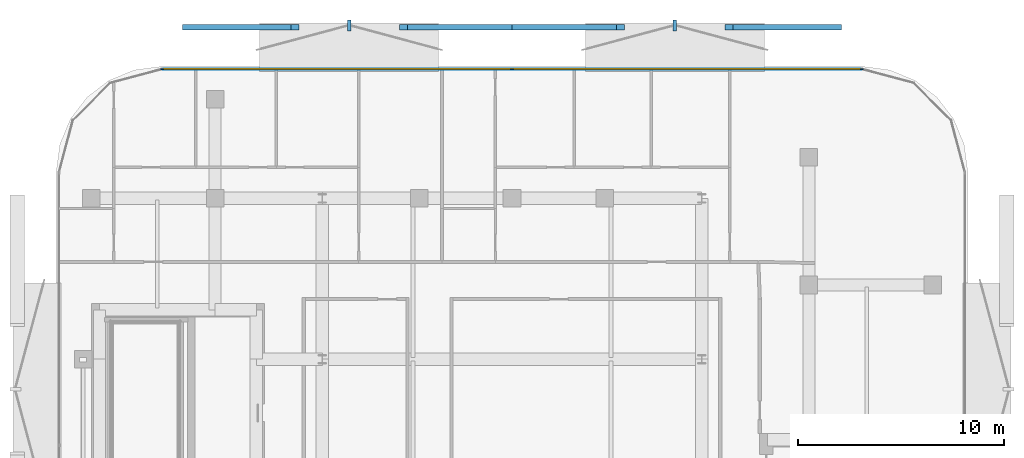
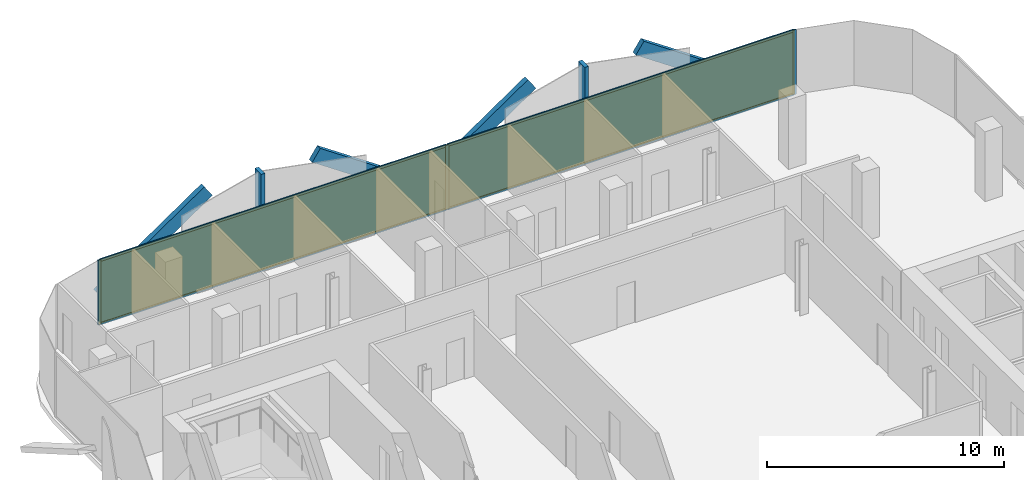
# One storey, part 11 of 14: 13 members, 2 plates, 1 curtain wall.
"""IFC4 building model written with IfcOpenShell, lengths in metres."""

from ifc_helpers import new_model, si_unit, direction, frame, frame_2d, origin, origin_2d, place, context, subcontext, project, spatial, rectangle, extrude, material, layer, layer_set, material_profile, profile_set, type_object, element, aggregate, save


model = new_model("IFC4")

# Units and contexts
model_context = context("Model", 3, precision=1e-05, world=origin(), true_north=direction((0.0, 1.0)))
body_context = subcontext(model_context, "Body", "Model", "MODEL_VIEW")
ifc_project = project(units=[si_unit("LENGTHUNIT", "METRE"), si_unit("AREAUNIT", "SQUARE_METRE"), si_unit("VOLUMEUNIT", "CUBIC_METRE"), si_unit("PLANEANGLEUNIT", "RADIAN"), si_unit("MASSUNIT", "GRAM", prefix="KILO")], contexts=[model_context])

# Member
ifc_material_1 = material(Name="Anodised Bronze Aluminium 6063-T6", Category="aluminium")
ifc_material_profile_1 = material_profile(ifc_material_1, rectangle(XDim=0.260009765625, YDim=0.699951171875, at=origin_2d()))
ifc_profile_set_1 = profile_set([ifc_material_profile_1], Name="Anodised Bronze Aluminium 6063-T6")
member_type_1 = type_object("IfcMemberType", Name="Bronze Diamond Solar-Screen Lattice Rib BDL-700", PredefinedType="MULLION", material=ifc_profile_set_1)
site_placement = place(None, origin())
building_placement = place(site_placement, origin())
storey_placement = place(building_placement, frame((0.0, 0.0, 233.199951171875)))
member_1_placement = place(storey_placement, frame((-15.790771484375, 26.89990234375, -0.1298828125), z_axis=(0.825424626677, 0.0, 0.564512343244), x_axis=(0.0, 1.0, 0.0)))
member_1 = element("IfcMember", 1, at=member_1_placement, type_object=member_type_1, Name="L54 Bronze Diamond Solar Screen Lattice Rib 365A", PredefinedType="MULLION", context=body_context, shape_type="SweptSolid", body=[
    extrude(rectangle(XDim=0.260009765625, YDim=0.699951171875, at=origin_2d()), origin(), (0.0, 0.0, 1.0), 6.376953125),
])

member_2_placement = place(storey_placement, frame((0.0, 26.89990234375, -0.1298828125), z_axis=(-0.825424626677, 0.0, 0.564512343244), x_axis=(0.0, -1.0, 0.0)))
member_2 = element("IfcMember", 2, at=member_2_placement, type_object=member_type_1, Name="L54 Bronze Diamond Solar Screen Lattice Rib 365B", PredefinedType="MULLION", context=body_context, shape_type="SweptSolid", body=[
    extrude(rectangle(XDim=0.260009765625, YDim=0.699951171875, at=origin_2d()), origin(), (0.0, 0.0, 1.0), 6.376953125),
])

member_3_placement = place(storey_placement, frame((0.0, 26.89990234375, -0.1298828125), z_axis=(0.825424626677, 0.0, 0.564512343244), x_axis=(0.0, 1.0, 0.0)))
member_3 = element("IfcMember", 3, at=member_3_placement, type_object=member_type_1, Name="L54 Bronze Diamond Solar Screen Lattice Rib 366A", PredefinedType="MULLION", context=body_context, shape_type="SweptSolid", body=[
    extrude(rectangle(XDim=0.260009765625, YDim=0.699951171875, at=origin_2d()), origin(), (0.0, 0.0, 1.0), 6.376953125),
])

member_4_placement = place(storey_placement, frame((15.790771484375, 26.89990234375, -0.1298828125), z_axis=(-0.825424626677, 0.0, 0.564512343244), x_axis=(0.0, -1.0, 0.0)))
member_4 = element("IfcMember", 4, at=member_4_placement, type_object=member_type_1, Name="L54 Bronze Diamond Solar Screen Lattice Rib 366B", PredefinedType="MULLION", context=body_context, shape_type="SweptSolid", body=[
    extrude(rectangle(XDim=0.260009765625, YDim=0.699951171875, at=origin_2d()), origin(), (0.0, 0.0, 1.0), 6.376953125),
])

ifc_material_2 = material(Name="Anodised Bronze Aluminium 6063-T6", Category="aluminium")
ifc_material_profile_2 = material_profile(ifc_material_2, rectangle(XDim=0.179931640625, YDim=0.5400390625, at=origin_2d()))
ifc_profile_set_2 = profile_set([ifc_material_profile_2], Name="Anodised Bronze Aluminium 6063-T6")
member_type_2 = type_object("IfcMemberType", Name="Bronze Solar-Screen Vertical Fold Fin BSF-540", PredefinedType="MULLION", material=ifc_profile_set_2)
member_5_placement = place(storey_placement, frame((-7.8955078125, 26.97998046875, -0.1298828125), z_axis=(0.0, 0.0, 1.0), x_axis=(1.0, 0.0, 0.0)))
member_5 = element("IfcMember", 5, at=member_5_placement, type_object=member_type_2, Name="L54 Bronze Solar Screen Vertical Fin 365", PredefinedType="MULLION", context=body_context, shape_type="SweptSolid", body=[
    extrude(rectangle(XDim=0.179931640625, YDim=0.5400390625, at=origin_2d()), origin(), (0.0, 0.0, 1.0), 3.599853515625),
])

member_6_placement = place(storey_placement, frame((7.8955078125, 26.97998046875, -0.1298828125), z_axis=(0.0, 0.0, 1.0), x_axis=(1.0, 0.0, 0.0)))
member_6 = element("IfcMember", 6, at=member_6_placement, type_object=member_type_2, Name="L54 Bronze Solar Screen Vertical Fin 366", PredefinedType="MULLION", context=body_context, shape_type="SweptSolid", body=[
    extrude(rectangle(XDim=0.179931640625, YDim=0.5400390625, at=origin_2d()), origin(), (0.0, 0.0, 1.0), 3.599853515625),
])

ifc_material_3 = material(Name="Anodised Bronze Aluminium 6063-T6", Category="aluminium")
ifc_material_profile_3 = material_profile(ifc_material_3, rectangle(XDim=0.06005859375, YDim=0.159912109375, at=origin_2d()))
ifc_profile_set_3 = profile_set([ifc_material_profile_3], Name="Anodised Bronze Aluminium 6063-T6")
member_type_3 = type_object("IfcMemberType", Name="CW-Z4 Mullion 60x160", PredefinedType="MULLION", material=ifc_profile_set_3)
member_7_placement = place(storey_placement, frame((-16.960693359375, 24.860107421875, 0.0), z_axis=(0.0, 0.0, 1.0), x_axis=(0.0, 1.0, 0.0)))
member_7 = element("IfcMember", 7, at=member_7_placement, type_object=member_type_3, Name="CW-Z4 mullion 1", PredefinedType="MULLION", context=body_context, shape_type="SweptSolid", body=[
    extrude(rectangle(XDim=0.06005859375, YDim=0.159912109375, at=origin_2d()), origin(), (0.0, 0.0, 1.0), 3.340087890625),
])

member_8_placement = place(storey_placement, frame((0.0, 24.860107421875, 0.0), z_axis=(0.0, 0.0, 1.0), x_axis=(0.0, 1.0, 0.0)))
member_8 = element("IfcMember", 8, at=member_8_placement, type_object=member_type_3, Name="CW-Z4 mullion 2", PredefinedType="MULLION", context=body_context, shape_type="SweptSolid", body=[
    extrude(rectangle(XDim=0.06005859375, YDim=0.159912109375, at=origin_2d()), origin(), (0.0, 0.0, 1.0), 3.340087890625),
])

member_9_placement = place(storey_placement, frame((16.960693359375, 24.860107421875, 0.0), z_axis=(0.0, 0.0, 1.0), x_axis=(0.0, 1.0, 0.0)))
member_9 = element("IfcMember", 9, at=member_9_placement, type_object=member_type_3, Name="CW-Z4 mullion 3", PredefinedType="MULLION", context=body_context, shape_type="SweptSolid", body=[
    extrude(rectangle(XDim=0.06005859375, YDim=0.159912109375, at=origin_2d()), origin(), (0.0, 0.0, 1.0), 3.340087890625),
])

ifc_material_4 = material(Name="Anodised Bronze Aluminium 6063-T6", Category="aluminium")
ifc_material_profile_4 = material_profile(ifc_material_4, rectangle(XDim=0.06005859375, YDim=0.125, at=origin_2d()))
ifc_profile_set_4 = profile_set([ifc_material_profile_4], Name="Anodised Bronze Aluminium 6063-T6")
member_type_4 = type_object("IfcMemberType", Name="CW-Z4 Transom 60x125", PredefinedType="USERDEFINED", material=ifc_profile_set_4)
member_10_placement = place(storey_placement, frame((-16.930908203125, 24.860107421875, 0.030029296875), z_axis=(1.0, 0.0, 0.0), x_axis=(0.0, 1.0, 0.0)))
member_10 = element("IfcMember", 10, at=member_10_placement, type_object=member_type_4, Name="CW-Z4 transom 1.1", ObjectType="TRANSOM", PredefinedType="USERDEFINED", context=body_context, shape_type="SweptSolid", body=[
    extrude(rectangle(XDim=0.06005859375, YDim=0.125, at=origin_2d()), origin(), (0.0, 0.0, 1.0), 16.90087890625),
])

member_11_placement = place(storey_placement, frame((-16.930908203125, 24.860107421875, 3.31005859375), z_axis=(1.0, 0.0, 0.0), x_axis=(0.0, 1.0, 0.0)))
member_11 = element("IfcMember", 11, at=member_11_placement, type_object=member_type_4, Name="CW-Z4 transom 1.2", ObjectType="TRANSOM", PredefinedType="USERDEFINED", context=body_context, shape_type="SweptSolid", body=[
    extrude(rectangle(XDim=0.06005859375, YDim=0.125, at=origin_2d()), origin(), (0.0, 0.0, 1.0), 16.90087890625),
])

member_12_placement = place(storey_placement, frame((0.030029296875, 24.860107421875, 0.030029296875), z_axis=(1.0, 0.0, 0.0), x_axis=(0.0, 1.0, 0.0)))
member_12 = element("IfcMember", 12, at=member_12_placement, type_object=member_type_4, Name="CW-Z4 transom 2.1", ObjectType="TRANSOM", PredefinedType="USERDEFINED", context=body_context, shape_type="SweptSolid", body=[
    extrude(rectangle(XDim=0.06005859375, YDim=0.125, at=origin_2d()), origin(), (0.0, 0.0, 1.0), 16.90087890625),
])

member_13_placement = place(storey_placement, frame((0.030029296875, 24.860107421875, 3.31005859375), z_axis=(1.0, 0.0, 0.0), x_axis=(0.0, 1.0, 0.0)))
member_13 = element("IfcMember", 13, at=member_13_placement, type_object=member_type_4, Name="CW-Z4 transom 2.2", ObjectType="TRANSOM", PredefinedType="USERDEFINED", context=body_context, shape_type="SweptSolid", body=[
    extrude(rectangle(XDim=0.06005859375, YDim=0.125, at=origin_2d()), origin(), (0.0, 0.0, 1.0), 16.90087890625),
])

# Plate
ifc_material_5 = material(Name="Low-E Solar Control Laminated Glass", Category="glass")
ifc_layer_1 = layer(ifc_material_5, 0.030029296875, Name="Low-E Solar Control Laminated Glass")
ifc_layer_set_1 = layer_set([ifc_layer_1], Name="Low-E Solar Control Laminated Glass")
plate_type = type_object("IfcPlateType", Name="CW-Z4 Low-E Double Glazed Panel 30mm", PredefinedType="CURTAIN_PANEL", material=ifc_layer_set_1)
plate_1_placement = place(storey_placement, frame((-8.48046875, 24.860107421875, 0.06005859375), z_axis=(0.0, 0.0, 1.0), x_axis=(1.0, 0.0, 0.0)))
plate_1 = element("IfcPlate", 14, at=plate_1_placement, type_object=plate_type, Name="CW-Z4 panel 1.1", PredefinedType="CURTAIN_PANEL", context=body_context, shape_type="SweptSolid", body=[
    extrude(rectangle(XDim=16.90087890625, YDim=0.030029296875, at=origin_2d()), origin(), (0.0, 0.0, 1.0), 3.219970703125),
])

plate_2_placement = place(storey_placement, frame((8.48046875, 24.860107421875, 0.06005859375), z_axis=(0.0, 0.0, 1.0), x_axis=(1.0, 0.0, 0.0)))
plate_2 = element("IfcPlate", 15, at=plate_2_placement, type_object=plate_type, Name="CW-Z4 panel 2.1", PredefinedType="CURTAIN_PANEL", context=body_context, shape_type="SweptSolid", body=[
    extrude(rectangle(XDim=16.90087890625, YDim=0.030029296875, at=origin_2d()), origin(), (0.0, 0.0, 1.0), 3.219970703125),
])

# Site, building, storey
site = spatial("IfcSite", under=ifc_project, at=site_placement, CompositionType="ELEMENT")
building = spatial("IfcBuilding", under=site, at=building_placement, Name="Khairoan Windgate Tower", CompositionType="ELEMENT")
storey = spatial("IfcBuildingStorey", under=building, at=storey_placement, Name="L54", CompositionType="ELEMENT", Elevation=233.199951171875)

# Curtain wall
ifc_material_6 = material(Name="Anodised Bronze Aluminium 6063-T6", Category="aluminium")
ifc_layer_2 = layer(ifc_material_6, 0.159912109375, Name="Anodised Bronze Aluminium 6063-T6")
ifc_layer_set_2 = layer_set([ifc_layer_2], Name="Anodised Bronze Aluminium 6063-T6")
curtain_wall_type = type_object("IfcCurtainWallType", Name="Sky Residence Unitised Curtain Wall CW-Z4", PredefinedType="NOTDEFINED", material=ifc_layer_set_2)
curtain_wall_placement = place(storey_placement, frame((-16.99072265625, 24.860107421875, 0.0), z_axis=(0.0, 0.0, 1.0), x_axis=(1.0, 0.0, 0.0)))
curtain_wall = element("IfcCurtainWall", 16, at=curtain_wall_placement, inside=storey, type_object=curtain_wall_type, Name="L54 Unitised Curtain Wall 9", PredefinedType="NOTDEFINED", context=body_context, shape_type="SweptSolid", body=[
    extrude(rectangle(XDim=33.9814453125, YDim=0.010009765625, at=frame_2d((16.99072265625, 0.0))), origin(), (0.0, 0.0, 1.0), 3.340087890625),
])

aggregate(curtain_wall, [member_7, member_8, member_9, member_10, member_11, plate_1, member_12, member_13, plate_2, member_1, member_2, member_5, member_3, member_4, member_6])

save(model, "model.ifc")
